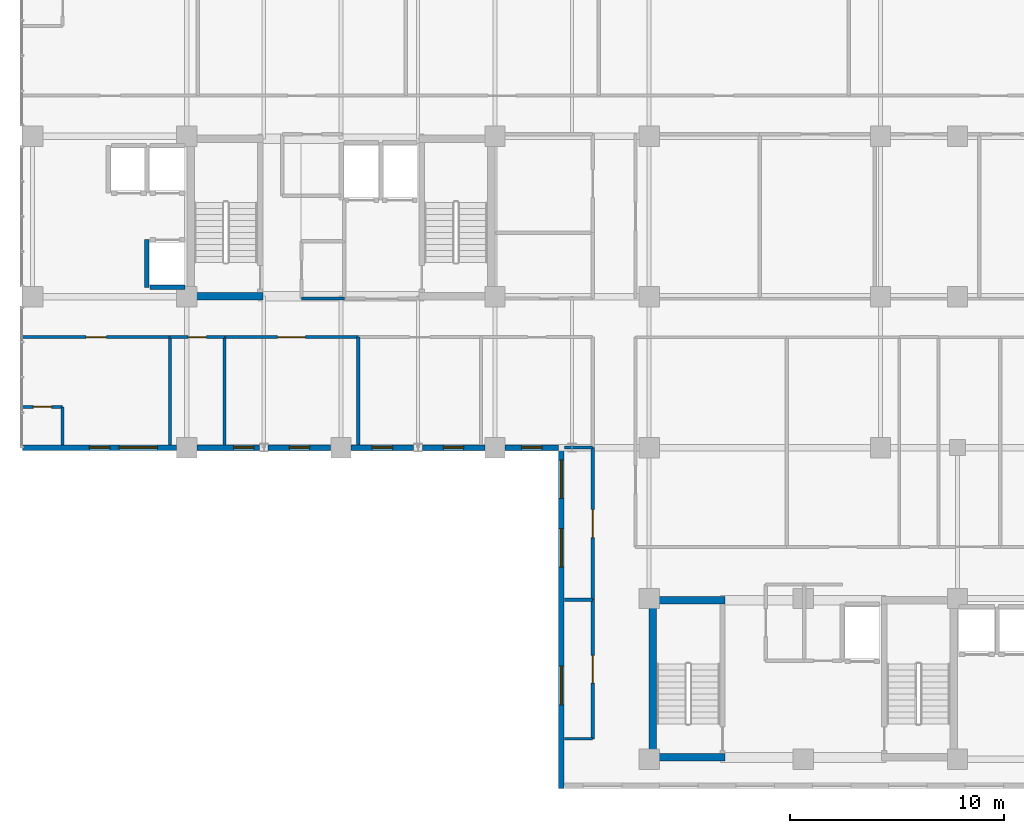
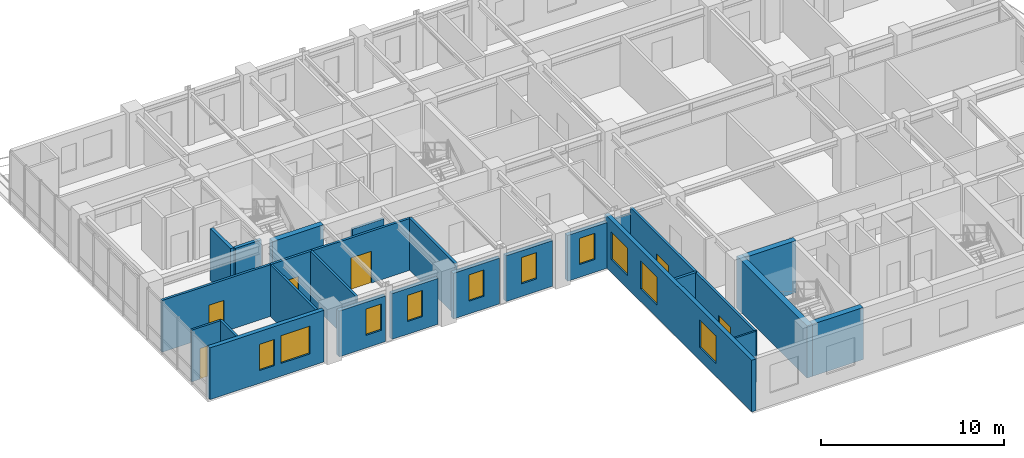
# One storey, part 12 of 20: 27 walls, 10 windows, 6 doors, 16 openings.
"""IFC4 building model written with IfcOpenShell, lengths in metres."""

from ifc_helpers import new_model, si_unit, direction, frame, frame_2d, origin, place, context, subcontext, project, spatial, rectangle, extrude, material, layer, layer_set, type_object, element, fill, save


model = new_model("IFC4")

# Units and contexts
model_context = context("Model", 3, precision=1e-05, world=origin(), true_north=direction((0.0, 1.0)))
body_context = subcontext(model_context, "Body", "Model", "MODEL_VIEW")
ifc_project = project(units=[si_unit("LENGTHUNIT", "METRE"), si_unit("AREAUNIT", "SQUARE_METRE"), si_unit("VOLUMEUNIT", "CUBIC_METRE"), si_unit("PLANEANGLEUNIT", "RADIAN"), si_unit("MASSUNIT", "GRAM", prefix="KILO")], contexts=[model_context])

# Site, building, storey
site_placement = place(None, origin())
site = spatial("IfcSite", under=ifc_project, at=site_placement, CompositionType="ELEMENT")
building_placement = place(site_placement, origin())
building = spatial("IfcBuilding", under=site, at=building_placement, Name="Kaliganga Portal Commons", CompositionType="ELEMENT")
storey_placement = place(building_placement, frame((0.0, 0.0, 216.60009765625)))
storey = spatial("IfcBuildingStorey", under=building, at=storey_placement, Name="L55", CompositionType="ELEMENT", Elevation=216.60009765625)

# Walls
ifc_material_1 = material(Name="Concrete C50/60", Category="concrete")
ifc_layer_1 = layer(ifc_material_1, 0.35009765625)
ifc_layer_set_1 = layer_set([ifc_layer_1], Name="Concrete C50/60")
wall_type_1 = type_object("IfcWallType", Name="WL-CORE-350", PredefinedType="SHEAR", material=ifc_layer_set_1)
wall_1_placement = place(storey_placement, frame((14.75, 28.675048828125, 0.0), z_axis=(0.0, 0.0, 1.0), x_axis=(1.0, 0.0, 0.0)))
element("IfcWall", 1, at=wall_1_placement, inside=storey, type_object=wall_type_1, Name="Core A S-West Shear Wall L55", PredefinedType="SHEAR", context=body_context, shape_type="SweptSolid", body=[
    extrude(rectangle(XDim=3.199951171875, YDim=0.35009765625, at=frame_2d((1.60009765625, 0.0))), origin(), (0.0, 0.0, 1.0), 3.469970703125),
])
wall_2_placement = place(storey_placement, frame((36.175048828125, 6.949951171875, 0.0), z_axis=(0.0, 0.0, 1.0), x_axis=(0.0, 1.0, 0.0)))
element("IfcWall", 2, at=wall_2_placement, inside=storey, type_object=wall_type_1, Name="Core B West Shear Wall L55", PredefinedType="SHEAR", context=body_context, shape_type="SweptSolid", body=[
    extrude(rectangle(XDim=7.699951171875, YDim=0.35009765625, at=frame_2d((3.85009765625, 0.0))), origin(), (0.0, 0.0, 1.0), 3.469970703125),
])
for number, where, z_axis, x_axis, name in (
    (3, (36.35009765625, 7.125, 0.0), (0.0, 0.0, 1.0), (1.0, 0.0, 0.0), "Core B S-West Shear Wall L55"),
    (4, (36.35009765625, 14.47509765625, 0.0), (0.0, 0.0, 1.0), (1.0, 0.0, 0.0), "Core B N-West Shear Wall L55"),
):
    element("IfcWall", number, at=place(storey_placement, frame(where, z_axis=z_axis, x_axis=x_axis)), inside=storey, type_object=wall_type_1, Name=name, PredefinedType="SHEAR", context=body_context, shape_type="SweptSolid", body=[
        extrude(rectangle(XDim=3.199951171875, YDim=0.35009765625, at=frame_2d((1.60009765625, 0.0))), origin(), (0.0, 0.0, 1.0), 3.469970703125),
    ])

# Wall, openings, windows
ifc_material_2 = material(Name="Insulated Aluminium-Clad Spandrel Assembly", Category="aluminium")
ifc_layer_2 = layer(ifc_material_2, 0.260009765625)
ifc_layer_set_2 = layer_set([ifc_layer_2], Name="Insulated Aluminium-Clad Spandrel Assembly")
wall_type_2 = type_object("IfcWallType", Name="WL-EXT-SPAND-260", PredefinedType="STANDARD", material=ifc_layer_set_2)
wall_3_placement = place(storey_placement, frame((13.924072265625, 21.60009765625, 0.0), z_axis=(0.0, 0.0, 1.0), x_axis=(-1.0, 0.0, 0.0)))
wall_3 = element("IfcWall", 5, at=wall_3_placement, inside=storey, type_object=wall_type_2, Name="Exterior Envelope Wall L55 P1-E04-S1", PredefinedType="STANDARD", context=body_context, shape_type="SweptSolid", body=[
    extrude(rectangle(XDim=7.18701171875, YDim=0.260009765625, at=frame_2d((3.593505859375, 0.0))), origin(), (0.0, 0.0, 1.0), 3.449951171875),
])
opening_1_placement = place(wall_3_placement, frame((0.896728515625, 0.0, 0.85009765625)))
opening_1 = element("IfcOpeningElement", 6, at=opening_1_placement, cuts=wall_3, Name="Opening W-01", PredefinedType="OPENING", context=body_context, shape_type="SweptSolid", body=[
    extrude(rectangle(XDim=1.800048828125, YDim=1.85009765625, at=frame_2d((0.89990234375, 0.925048828125))), frame((0.0, 0.14013671875, 0.0), z_axis=(0.0, -1.0, 0.0), x_axis=(1.0, 0.0, 0.0)), (0.0, 0.0, 1.0), 0.280029296875),
])
opening_2_placement = place(wall_3_placement, frame((3.118408203125, 0.0, 0.85009765625)))
opening_2 = element("IfcOpeningElement", 7, at=opening_2_placement, cuts=wall_3, Name="Opening W-04", PredefinedType="OPENING", context=body_context, shape_type="SweptSolid", body=[
    extrude(rectangle(XDim=0.949951171875, YDim=1.75, at=frame_2d((0.47509765625, 0.875))), frame((0.0, 0.14013671875, 0.0), z_axis=(0.0, -1.0, 0.0), x_axis=(1.0, 0.0, 0.0)), (0.0, 0.0, 1.0), 0.280029296875),
])
ifc_material_3 = material(Name="Thermally Broken Aluminium and Low-E Double Glazing", Category="aluminium")
window_type_1 = type_object("IfcWindowType", Name="WIN-NARROW-950", PartitioningType="SINGLE_PANEL", PredefinedType="WINDOW", material=ifc_material_3)
window_1_placement = place(opening_2_placement, origin())
window_1 = element("IfcWindow", 8, at=window_1_placement, inside=storey, type_object=window_type_1, Name="Facade Window L55-P1E04S1-N0", OverallHeight=1.75, OverallWidth=0.949951171875, PartitioningType="SINGLE_PANEL", PredefinedType="WINDOW", context=body_context, shape_type="SweptSolid", body=[
    extrude(rectangle(XDim=0.949951171875, YDim=1.75, at=frame_2d((0.47509765625, 0.875))), frame((0.0, 0.030029296875, 0.0), z_axis=(0.0, -1.0, 0.0), x_axis=(1.0, 0.0, 0.0)), (0.0, 0.0, 1.0), 0.06005859375),
])
fill(opening_2, window_1)
window_type_2 = type_object("IfcWindowType", Name="WIN-STD-1800", PartitioningType="DOUBLE_PANEL_VERTICAL", PredefinedType="WINDOW", material=ifc_material_3)
window_2_placement = place(opening_1_placement, origin())
window_2 = element("IfcWindow", 9, at=window_2_placement, inside=storey, type_object=window_type_2, Name="Facade Window L55-P1E04S1-00", OverallHeight=1.85009765625, OverallWidth=1.800048828125, PartitioningType="SINGLE_PANEL", PredefinedType="WINDOW", context=body_context, shape_type="SweptSolid", body=[
    extrude(rectangle(XDim=1.800048828125, YDim=1.85009765625, at=frame_2d((0.89990234375, 0.925048828125))), frame((0.0, 0.030029296875, 0.0), z_axis=(0.0, -1.0, 0.0), x_axis=(1.0, 0.0, 0.0)), (0.0, 0.0, 1.0), 0.06005859375),
])
fill(opening_1, window_2)

# Wall, opening, window
wall_4_placement = place(storey_placement, frame((17.799560546875, 21.60009765625, 0.0), z_axis=(0.0, 0.0, 1.0), x_axis=(-1.0, 0.0, 0.0)))
wall_4 = element("IfcWall", 10, at=wall_4_placement, inside=storey, type_object=wall_type_2, Name="Exterior Envelope Wall L55 P1-E04-S2", PredefinedType="STANDARD", context=body_context, shape_type="SweptSolid", body=[
    extrude(rectangle(XDim=2.923583984375, YDim=0.260009765625, at=frame_2d((1.4619140625, 0.0))), origin(), (0.0, 0.0, 1.0), 3.0498046875),
])
opening_3_placement = place(wall_4_placement, frame((0.26171875, 0.0, 0.85009765625)))
opening_3 = element("IfcOpeningElement", 11, at=opening_3_placement, cuts=wall_4, Name="Opening W-04", PredefinedType="OPENING", context=body_context, shape_type="SweptSolid", body=[
    extrude(rectangle(XDim=0.949951171875, YDim=1.75, at=frame_2d((0.47509765625, 0.875))), frame((0.0, 0.14013671875, 0.0), z_axis=(0.0, -1.0, 0.0), x_axis=(1.0, 0.0, 0.0)), (0.0, 0.0, 1.0), 0.280029296875),
])
window_3_placement = place(opening_3_placement, origin())
window_3 = element("IfcWindow", 12, at=window_3_placement, inside=storey, type_object=window_type_1, Name="Facade Window L55-P1E04S2-N1", OverallHeight=1.75, OverallWidth=0.949951171875, PartitioningType="SINGLE_PANEL", PredefinedType="WINDOW", context=body_context, shape_type="SweptSolid", body=[
    extrude(rectangle(XDim=0.949951171875, YDim=1.75, at=frame_2d((0.47509765625, 0.875))), frame((0.0, 0.030029296875, 0.0), z_axis=(0.0, -1.0, 0.0), x_axis=(1.0, 0.0, 0.0)), (0.0, 0.0, 1.0), 0.06005859375),
])
fill(opening_3, window_3)

wall_5_placement = place(storey_placement, frame((21.1240234375, 21.60009765625, 0.0), z_axis=(0.0, 0.0, 1.0), x_axis=(-1.0, 0.0, 0.0)))
wall_5 = element("IfcWall", 13, at=wall_5_placement, inside=storey, type_object=wall_type_2, Name="Exterior Envelope Wall L55 P1-E04-S3", PredefinedType="STANDARD", context=body_context, shape_type="SweptSolid", body=[
    extrude(rectangle(XDim=2.923583984375, YDim=0.260009765625, at=frame_2d((1.4619140625, 0.0))), origin(), (0.0, 0.0, 1.0), 3.0498046875),
])
opening_4_placement = place(wall_5_placement, frame((0.98681640625, 0.0, 0.85009765625)))
opening_4 = element("IfcOpeningElement", 14, at=opening_4_placement, cuts=wall_5, Name="Opening W-04", PredefinedType="OPENING", context=body_context, shape_type="SweptSolid", body=[
    extrude(rectangle(XDim=0.949951171875, YDim=1.75, at=frame_2d((0.47509765625, 0.875))), frame((0.0, 0.14013671875, 0.0), z_axis=(0.0, -1.0, 0.0), x_axis=(1.0, 0.0, 0.0)), (0.0, 0.0, 1.0), 0.280029296875),
])
window_4_placement = place(opening_4_placement, origin())
window_4 = element("IfcWindow", 15, at=window_4_placement, inside=storey, type_object=window_type_1, Name="Facade Window L55-P1E04S3-00", OverallHeight=1.75, OverallWidth=0.949951171875, PartitioningType="SINGLE_PANEL", PredefinedType="WINDOW", context=body_context, shape_type="SweptSolid", body=[
    extrude(rectangle(XDim=0.949951171875, YDim=1.75, at=frame_2d((0.47509765625, 0.875))), frame((0.0, 0.030029296875, 0.0), z_axis=(0.0, -1.0, 0.0), x_axis=(1.0, 0.0, 0.0)), (0.0, 0.0, 1.0), 0.06005859375),
])
fill(opening_4, window_4)

wall_6_placement = place(storey_placement, frame((24.99951171875, 21.60009765625, 0.0), z_axis=(0.0, 0.0, 1.0), x_axis=(-1.0, 0.0, 0.0)))
wall_6 = element("IfcWall", 16, at=wall_6_placement, inside=storey, type_object=wall_type_2, Name="Exterior Envelope Wall L55 P1-E04-S4", PredefinedType="STANDARD", context=body_context, shape_type="SweptSolid", body=[
    extrude(rectangle(XDim=2.923583984375, YDim=0.260009765625, at=frame_2d((1.4619140625, 0.0))), origin(), (0.0, 0.0, 1.0), 3.0498046875),
])
opening_5_placement = place(wall_6_placement, frame((0.98681640625, 0.0, 0.85009765625)))
opening_5 = element("IfcOpeningElement", 17, at=opening_5_placement, cuts=wall_6, Name="Opening W-04", PredefinedType="OPENING", context=body_context, shape_type="SweptSolid", body=[
    extrude(rectangle(XDim=0.949951171875, YDim=1.75, at=frame_2d((0.47509765625, 0.875))), frame((0.0, 0.14013671875, 0.0), z_axis=(0.0, -1.0, 0.0), x_axis=(1.0, 0.0, 0.0)), (0.0, 0.0, 1.0), 0.280029296875),
])
window_5_placement = place(opening_5_placement, origin())
window_5 = element("IfcWindow", 18, at=window_5_placement, inside=storey, type_object=window_type_1, Name="Facade Window L55-P1E04S4-00", OverallHeight=1.75, OverallWidth=0.949951171875, PartitioningType="SINGLE_PANEL", PredefinedType="WINDOW", context=body_context, shape_type="SweptSolid", body=[
    extrude(rectangle(XDim=0.949951171875, YDim=1.75, at=frame_2d((0.47509765625, 0.875))), frame((0.0, 0.030029296875, 0.0), z_axis=(0.0, -1.0, 0.0), x_axis=(1.0, 0.0, 0.0)), (0.0, 0.0, 1.0), 0.06005859375),
])
fill(opening_5, window_5)

wall_7_placement = place(storey_placement, frame((28.323974609375, 21.60009765625, 0.0), z_axis=(0.0, 0.0, 1.0), x_axis=(-1.0, 0.0, 0.0)))
wall_7 = element("IfcWall", 19, at=wall_7_placement, inside=storey, type_object=wall_type_2, Name="Exterior Envelope Wall L55 P1-E04-S5", PredefinedType="STANDARD", context=body_context, shape_type="SweptSolid", body=[
    extrude(rectangle(XDim=2.923583984375, YDim=0.260009765625, at=frame_2d((1.4619140625, 0.0))), origin(), (0.0, 0.0, 1.0), 3.0498046875),
])
opening_6_placement = place(wall_7_placement, frame((0.98681640625, 0.0, 0.85009765625)))
opening_6 = element("IfcOpeningElement", 20, at=opening_6_placement, cuts=wall_7, Name="Opening W-04", PredefinedType="OPENING", context=body_context, shape_type="SweptSolid", body=[
    extrude(rectangle(XDim=0.949951171875, YDim=1.75, at=frame_2d((0.47509765625, 0.875))), frame((0.0, 0.14013671875, 0.0), z_axis=(0.0, -1.0, 0.0), x_axis=(1.0, 0.0, 0.0)), (0.0, 0.0, 1.0), 0.280029296875),
])
window_6_placement = place(opening_6_placement, origin())
window_6 = element("IfcWindow", 21, at=window_6_placement, inside=storey, type_object=window_type_1, Name="Facade Window L55-P1E04S5-00", OverallHeight=1.75, OverallWidth=0.949951171875, PartitioningType="SINGLE_PANEL", PredefinedType="WINDOW", context=body_context, shape_type="SweptSolid", body=[
    extrude(rectangle(XDim=0.949951171875, YDim=1.75, at=frame_2d((0.47509765625, 0.875))), frame((0.0, 0.030029296875, 0.0), z_axis=(0.0, -1.0, 0.0), x_axis=(1.0, 0.0, 0.0)), (0.0, 0.0, 1.0), 0.06005859375),
])
fill(opening_6, window_6)

wall_8_placement = place(storey_placement, frame((31.764892578125, 21.60009765625, 0.0), z_axis=(0.0, 0.0, 1.0), x_axis=(-1.0, 0.0, 0.0)))
wall_8 = element("IfcWall", 22, at=wall_8_placement, inside=storey, type_object=wall_type_2, Name="Exterior Envelope Wall L55 P1-E04-S6", PredefinedType="STANDARD", context=body_context, shape_type="SweptSolid", body=[
    extrude(rectangle(XDim=2.489013671875, YDim=0.260009765625, at=frame_2d((1.24462890625, 0.0))), origin(), (0.0, 0.0, 1.0), 3.0498046875),
])
opening_7_placement = place(wall_8_placement, frame((0.76953125, 0.0, 0.85009765625)))
opening_7 = element("IfcOpeningElement", 23, at=opening_7_placement, cuts=wall_8, Name="Opening W-04", PredefinedType="OPENING", context=body_context, shape_type="SweptSolid", body=[
    extrude(rectangle(XDim=0.949951171875, YDim=1.75, at=frame_2d((0.47509765625, 0.875))), frame((0.0, 0.14013671875, 0.0), z_axis=(0.0, -1.0, 0.0), x_axis=(1.0, 0.0, 0.0)), (0.0, 0.0, 1.0), 0.280029296875),
])
window_7_placement = place(opening_7_placement, origin())
window_7 = element("IfcWindow", 24, at=window_7_placement, inside=storey, type_object=window_type_1, Name="Facade Window L55-P1E04S6-00", OverallHeight=1.75, OverallWidth=0.949951171875, PartitioningType="SINGLE_PANEL", PredefinedType="WINDOW", context=body_context, shape_type="SweptSolid", body=[
    extrude(rectangle(XDim=0.949951171875, YDim=1.75, at=frame_2d((0.47509765625, 0.875))), frame((0.0, 0.030029296875, 0.0), z_axis=(0.0, -1.0, 0.0), x_axis=(1.0, 0.0, 0.0)), (0.0, 0.0, 1.0), 0.06005859375),
])
fill(opening_7, window_7)

# Wall, openings, windows
wall_9_placement = place(storey_placement, frame((31.89990234375, 5.669921875, 0.0), z_axis=(0.0, 0.0, 1.0), x_axis=(0.0, 1.0, 0.0)))
wall_9 = element("IfcWall", 25, at=wall_9_placement, inside=storey, type_object=wall_type_2, Name="Exterior Envelope Wall L55 P1-E05-S1", PredefinedType="STANDARD", context=body_context, shape_type="SweptSolid", body=[
    extrude(rectangle(XDim=16.06005859375, YDim=0.260009765625, at=frame_2d((8.030029296875, 0.0))), origin(), (0.0, 0.0, 1.0), 3.449951171875),
])
opening_8_placement = place(wall_9_placement, frame((3.91796875, 0.0, 0.85009765625)))
opening_8 = element("IfcOpeningElement", 26, at=opening_8_placement, cuts=wall_9, Name="Opening W-01", PredefinedType="OPENING", context=body_context, shape_type="SweptSolid", body=[
    extrude(rectangle(XDim=1.800048828125, YDim=1.85009765625, at=frame_2d((0.89990234375, 0.925048828125))), frame((0.0, 0.14013671875, 0.0), z_axis=(0.0, -1.0, 0.0), x_axis=(1.0, 0.0, 0.0)), (0.0, 0.0, 1.0), 0.280029296875),
])
opening_9_placement = place(wall_9_placement, frame((10.342041015625, 0.0, 0.85009765625)))
opening_9 = element("IfcOpeningElement", 27, at=opening_9_placement, cuts=wall_9, Name="Opening W-01", PredefinedType="OPENING", context=body_context, shape_type="SweptSolid", body=[
    extrude(rectangle(XDim=1.800048828125, YDim=1.85009765625, at=frame_2d((0.89990234375, 0.925048828125))), frame((0.0, 0.14013671875, 0.0), z_axis=(0.0, -1.0, 0.0), x_axis=(1.0, 0.0, 0.0)), (0.0, 0.0, 1.0), 0.280029296875),
])
opening_10_placement = place(wall_9_placement, frame((13.553955078125, 0.0, 0.85009765625)))
opening_10 = element("IfcOpeningElement", 28, at=opening_10_placement, cuts=wall_9, Name="Opening W-01", PredefinedType="OPENING", context=body_context, shape_type="SweptSolid", body=[
    extrude(rectangle(XDim=1.800048828125, YDim=1.85009765625, at=frame_2d((0.89990234375, 0.925048828125))), frame((0.0, 0.14013671875, 0.0), z_axis=(0.0, -1.0, 0.0), x_axis=(1.0, 0.0, 0.0)), (0.0, 0.0, 1.0), 0.280029296875),
])
window_8_placement = place(opening_8_placement, origin())
window_8 = element("IfcWindow", 29, at=window_8_placement, inside=storey, type_object=window_type_2, Name="Facade Window L55-P1E05S1-01", OverallHeight=1.85009765625, OverallWidth=1.800048828125, PartitioningType="SINGLE_PANEL", PredefinedType="WINDOW", context=body_context, shape_type="SweptSolid", body=[
    extrude(rectangle(XDim=1.800048828125, YDim=1.85009765625, at=frame_2d((0.89990234375, 0.925048828125))), frame((0.0, 0.030029296875, 0.0), z_axis=(0.0, -1.0, 0.0), x_axis=(1.0, 0.0, 0.0)), (0.0, 0.0, 1.0), 0.06005859375),
])
fill(opening_8, window_8)
window_9_placement = place(opening_9_placement, origin())
window_9 = element("IfcWindow", 30, at=window_9_placement, inside=storey, type_object=window_type_2, Name="Facade Window L55-P1E05S1-03", OverallHeight=1.85009765625, OverallWidth=1.800048828125, PartitioningType="SINGLE_PANEL", PredefinedType="WINDOW", context=body_context, shape_type="SweptSolid", body=[
    extrude(rectangle(XDim=1.800048828125, YDim=1.85009765625, at=frame_2d((0.89990234375, 0.925048828125))), frame((0.0, 0.030029296875, 0.0), z_axis=(0.0, -1.0, 0.0), x_axis=(1.0, 0.0, 0.0)), (0.0, 0.0, 1.0), 0.06005859375),
])
fill(opening_9, window_9)
window_10_placement = place(opening_10_placement, origin())
window_10 = element("IfcWindow", 31, at=window_10_placement, inside=storey, type_object=window_type_2, Name="Facade Window L55-P1E05S1-04", OverallHeight=1.85009765625, OverallWidth=1.800048828125, PartitioningType="SINGLE_PANEL", PredefinedType="WINDOW", context=body_context, shape_type="SweptSolid", body=[
    extrude(rectangle(XDim=1.800048828125, YDim=1.85009765625, at=frame_2d((0.89990234375, 0.925048828125))), frame((0.0, 0.030029296875, 0.0), z_axis=(0.0, -1.0, 0.0), x_axis=(1.0, 0.0, 0.0)), (0.0, 0.0, 1.0), 0.06005859375),
])
fill(opening_10, window_10)

# Wall, opening, door
ifc_material_4 = material(Name="Fire-Rated Gypsum Board on Steel Stud", Category="steel")
ifc_layer_3 = layer(ifc_material_4, 0.14990234375)
ifc_layer_set_3 = layer_set([ifc_layer_3], Name="Fire-Rated Gypsum Board on Steel Stud")
wall_type_3 = type_object("IfcWallType", Name="WL-PART-CORR-150", PredefinedType="PARTITIONING", material=ifc_layer_set_3)
wall_10_placement = place(storey_placement, frame((33.360107421875, 14.5, 0.0), z_axis=(0.0, 0.0, 1.0), x_axis=(0.0, 1.0, 0.0)))
wall_10 = element("IfcWall", 32, at=wall_10_placement, inside=storey, type_object=wall_type_3, Name="Interior Partition L55-015", PredefinedType="PARTITIONING", context=body_context, shape_type="SweptSolid", body=[
    extrude(rectangle(XDim=7.10009765625, YDim=0.14990234375, at=frame_2d((3.550048828125, 0.0))), origin(), (0.0, 0.0, 1.0), 3.449951171875),
])
opening_11_placement = place(wall_10_placement, frame((2.89990234375, 0.0, 0.0)))
opening_11 = element("IfcOpeningElement", 33, at=opening_11_placement, cuts=wall_10, Name="Opening RD-03", PredefinedType="OPENING", context=body_context, shape_type="SweptSolid", body=[
    extrude(rectangle(XDim=1.300048828125, YDim=2.1201171875, at=frame_2d((0.64990234375, 1.06005859375))), frame((0.0, 0.0849609375, 0.0), z_axis=(0.0, -1.0, 0.0), x_axis=(1.0, 0.0, 0.0)), (0.0, 0.0, 1.0), 0.169921875),
])
ifc_material_5 = material(Name="Glazed Timber Seminar Vision Door", Category="wood")
door_type_1 = type_object("IfcDoorType", Name="DR-STUDY-1300", OperationType="DOUBLE_DOOR_SINGLE_SWING", PredefinedType="DOOR", material=ifc_material_5)
door_1_placement = place(opening_11_placement, origin())
door_1 = element("IfcDoor", 34, at=door_1_placement, inside=storey, type_object=door_type_1, Name="Interior Door L55-KW02", OperationType="DOUBLE_DOOR_SINGLE_SWING", OverallHeight=2.1201171875, OverallWidth=1.300048828125, PredefinedType="DOOR", context=body_context, shape_type="SweptSolid", body=[
    extrude(rectangle(XDim=1.300048828125, YDim=2.1201171875, at=frame_2d((0.64990234375, 1.06005859375))), frame((0.0, 0.02490234375, 0.0), z_axis=(0.0, -1.0, 0.0), x_axis=(1.0, 0.0, 0.0)), (0.0, 0.0, 1.0), 0.050048828125),
])
fill(opening_11, door_1)

wall_11_placement = place(storey_placement, frame((6.719970703125, 26.760009765625, 0.0), z_axis=(0.0, 0.0, 1.0), x_axis=(1.0, 0.0, 0.0)))
wall_11 = element("IfcWall", 35, at=wall_11_placement, inside=storey, type_object=wall_type_3, Name="Interior Partition L55-017", PredefinedType="PARTITIONING", context=body_context, shape_type="SweptSolid", body=[
    extrude(rectangle(XDim=6.900146484375, YDim=0.14990234375, at=frame_2d((3.4501953125, 0.0))), origin(), (0.0, 0.0, 1.0), 3.449951171875),
])
opening_12_placement = place(wall_11_placement, frame((2.97509765625, 0.0, 0.0)))
opening_12 = element("IfcOpeningElement", 36, at=opening_12_placement, cuts=wall_11, Name="Opening UD-01", PredefinedType="OPENING", context=body_context, shape_type="SweptSolid", body=[
    extrude(rectangle(XDim=0.949951171875, YDim=2.10009765625, at=frame_2d((0.47509765625, 1.050048828125))), frame((0.0, 0.0849609375, 0.0), z_axis=(0.0, -1.0, 0.0), x_axis=(1.0, 0.0, 0.0)), (0.0, 0.0, 1.0), 0.169921875),
])
ifc_material_6 = material(Name="Solid-Core Timber Acoustic Fire Door", Category="wood")
door_type_2 = type_object("IfcDoorType", Name="DR-UNIT-950", OperationType="NOTDEFINED", PredefinedType="DOOR", material=ifc_material_6)
door_2_placement = place(opening_12_placement, origin())
door_2 = element("IfcDoor", 37, at=door_2_placement, inside=storey, type_object=door_type_2, Name="Interior Door L55-AS01", OperationType="SINGLE_SWING_RIGHT", OverallHeight=2.10009765625, OverallWidth=0.949951171875, PredefinedType="DOOR", context=body_context, shape_type="SweptSolid", body=[
    extrude(rectangle(XDim=0.949951171875, YDim=2.10009765625, at=frame_2d((0.47509765625, 1.050048828125))), frame((0.0, 0.02490234375, 0.0), z_axis=(0.0, -1.0, 0.0), x_axis=(1.0, 0.0, 0.0)), (0.0, 0.0, 1.0), 0.050048828125),
])
fill(opening_12, door_2)

wall_12_placement = place(storey_placement, frame((33.360107421875, 8.0, 0.0), z_axis=(0.0, 0.0, 1.0), x_axis=(0.0, 1.0, 0.0)))
wall_12 = element("IfcWall", 38, at=wall_12_placement, inside=storey, type_object=wall_type_3, Name="Interior Partition L55-018", PredefinedType="PARTITIONING", context=body_context, shape_type="SweptSolid", body=[
    extrude(rectangle(XDim=6.5, YDim=0.14990234375, at=frame_2d((3.25, 0.0))), origin(), (0.0, 0.0, 1.0), 3.449951171875),
])
opening_13_placement = place(wall_12_placement, frame((2.60009765625, 0.0, 0.0)))
opening_13 = element("IfcOpeningElement", 39, at=opening_13_placement, cuts=wall_12, Name="Opening RD-03", PredefinedType="OPENING", context=body_context, shape_type="SweptSolid", body=[
    extrude(rectangle(XDim=1.300048828125, YDim=2.1201171875, at=frame_2d((0.64990234375, 1.06005859375))), frame((0.0, 0.0849609375, 0.0), z_axis=(0.0, -1.0, 0.0), x_axis=(1.0, 0.0, 0.0)), (0.0, 0.0, 1.0), 0.169921875),
])
door_3_placement = place(opening_13_placement, origin())
door_3 = element("IfcDoor", 40, at=door_3_placement, inside=storey, type_object=door_type_1, Name="Interior Door L55-KW01", OperationType="DOUBLE_DOOR_SINGLE_SWING", OverallHeight=2.1201171875, OverallWidth=1.300048828125, PredefinedType="DOOR", context=body_context, shape_type="SweptSolid", body=[
    extrude(rectangle(XDim=1.300048828125, YDim=2.1201171875, at=frame_2d((0.64990234375, 1.06005859375))), frame((0.0, 0.02490234375, 0.0), z_axis=(0.0, -1.0, 0.0), x_axis=(1.0, 0.0, 0.0)), (0.0, 0.0, 1.0), 0.050048828125),
])
fill(opening_13, door_3)

wall_13_placement = place(storey_placement, frame((16.159912109375, 26.760009765625, 0.0), z_axis=(0.0, 0.0, 1.0), x_axis=(1.0, 0.0, 0.0)))
wall_13 = element("IfcWall", 41, at=wall_13_placement, inside=storey, type_object=wall_type_3, Name="Interior Partition L55-019", PredefinedType="PARTITIONING", context=body_context, shape_type="SweptSolid", body=[
    extrude(rectangle(XDim=6.260009765625, YDim=0.14990234375, at=frame_2d((3.1298828125, 0.0))), origin(), (0.0, 0.0, 1.0), 3.449951171875),
])
opening_14_placement = place(wall_13_placement, frame((2.47998046875, 0.0, 0.0)))
opening_14 = element("IfcOpeningElement", 42, at=opening_14_placement, cuts=wall_13, Name="Opening RD-03", PredefinedType="OPENING", context=body_context, shape_type="SweptSolid", body=[
    extrude(rectangle(XDim=1.300048828125, YDim=2.1201171875, at=frame_2d((0.64990234375, 1.06005859375))), frame((0.0, 0.0849609375, 0.0), z_axis=(0.0, -1.0, 0.0), x_axis=(1.0, 0.0, 0.0)), (0.0, 0.0, 1.0), 0.169921875),
])
door_4_placement = place(opening_14_placement, origin())
door_4 = element("IfcDoor", 43, at=door_4_placement, inside=storey, type_object=door_type_1, Name="Interior Door L55-AS03", OperationType="DOUBLE_DOOR_SINGLE_SWING", OverallHeight=2.1201171875, OverallWidth=1.300048828125, PredefinedType="DOOR", context=body_context, shape_type="SweptSolid", body=[
    extrude(rectangle(XDim=1.300048828125, YDim=2.1201171875, at=frame_2d((0.64990234375, 1.06005859375))), frame((0.0, 0.02490234375, 0.0), z_axis=(0.0, -1.0, 0.0), x_axis=(1.0, 0.0, 0.0)), (0.0, 0.0, 1.0), 0.050048828125),
])
fill(opening_14, door_4)

wall_14_placement = place(storey_placement, frame((13.6201171875, 26.760009765625, 0.0), z_axis=(0.0, 0.0, 1.0), x_axis=(1.0, 0.0, 0.0)))
wall_14 = element("IfcWall", 44, at=wall_14_placement, inside=storey, type_object=wall_type_3, Name="Interior Partition L55-038", PredefinedType="PARTITIONING", context=body_context, shape_type="SweptSolid", body=[
    extrude(rectangle(XDim=2.539794921875, YDim=0.14990234375, at=frame_2d((1.27001953125, 0.0))), origin(), (0.0, 0.0, 1.0), 3.449951171875),
])
opening_15_placement = place(wall_14_placement, frame((0.844970703125, 0.0, 0.0)))
opening_15 = element("IfcOpeningElement", 45, at=opening_15_placement, cuts=wall_14, Name="Opening WD-01", PredefinedType="OPENING", context=body_context, shape_type="SweptSolid", body=[
    extrude(rectangle(XDim=0.85009765625, YDim=2.0400390625, at=frame_2d((0.425048828125, 1.02001953125))), frame((0.0, 0.0849609375, 0.0), z_axis=(0.0, -1.0, 0.0), x_axis=(1.0, 0.0, 0.0)), (0.0, 0.0, 1.0), 0.169921875),
])
ifc_material_7 = material(Name="Moisture-Resistant Laminate Timber Door", Category="wood")
door_type_3 = type_object("IfcDoorType", Name="DR-WET-850", OperationType="NOTDEFINED", PredefinedType="DOOR", material=ifc_material_7)
door_5_placement = place(opening_15_placement, origin())
door_5 = element("IfcDoor", 46, at=door_5_placement, inside=storey, type_object=door_type_3, Name="Interior Door L55-AS02", OperationType="SINGLE_SWING_RIGHT", OverallHeight=2.0400390625, OverallWidth=0.85009765625, PredefinedType="DOOR", context=body_context, shape_type="SweptSolid", body=[
    extrude(rectangle(XDim=0.85009765625, YDim=2.0400390625, at=frame_2d((0.425048828125, 1.02001953125))), frame((0.0, 0.02490234375, 0.0), z_axis=(0.0, -1.0, 0.0), x_axis=(1.0, 0.0, 0.0)), (0.0, 0.0, 1.0), 0.050048828125),
])
fill(opening_15, door_5)

# Walls
wall_15_placement = place(storey_placement, frame((19.760009765625, 28.56005859375, 0.0), z_axis=(0.0, 0.0, 1.0), x_axis=(1.0, 0.0, 0.0)))
element("IfcWall", 47, at=wall_15_placement, inside=storey, type_object=wall_type_3, Name="Interior Partition L55-039", PredefinedType="PARTITIONING", context=body_context, shape_type="SweptSolid", body=[
    extrude(rectangle(XDim=2.0, YDim=0.14990234375, at=frame_2d((1.0, 0.0))), origin(), (0.0, 0.0, 1.0), 2.5498046875),
])
ifc_material_8 = material(Name="Moisture-Resistant Gypsum Partition", Category="gypsum")
ifc_layer_4 = layer(ifc_material_8, 0.114990234375)
ifc_layer_set_4 = layer_set([ifc_layer_4], Name="Moisture-Resistant Gypsum Partition")
wall_type_4 = type_object("IfcWallType", Name="WL-PART-ROOM-115", PredefinedType="PARTITIONING", material=ifc_layer_set_4)
wall_16_placement = place(storey_placement, frame((32.031982421875, 8.0, 0.0), z_axis=(0.0, 0.0, 1.0), x_axis=(1.0, 0.0, 0.0)))
element("IfcWall", 48, at=wall_16_placement, inside=storey, type_object=wall_type_4, Name="Interior Partition L55-080", PredefinedType="PARTITIONING", context=body_context, shape_type="SweptSolid", body=[
    extrude(rectangle(XDim=1.328125, YDim=0.114990234375, at=frame_2d((0.6640625, 0.0))), origin(), (0.0, 0.0, 1.0), 3.449951171875),
])
ifc_material_9 = material(Name="Twin-Stud Acoustic Gypsum Partition", Category="gypsum")
ifc_layer_5 = layer(ifc_material_9, 0.1650390625)
ifc_layer_set_5 = layer_set([ifc_layer_5], Name="Twin-Stud Acoustic Gypsum Partition")
wall_type_5 = type_object("IfcWallType", Name="WL-PART-UNIT-165", PredefinedType="PARTITIONING", material=ifc_layer_set_5)
wall_17_placement = place(storey_placement, frame((22.419921875, 21.73193359375, 0.0), z_axis=(0.0, 0.0, 1.0), x_axis=(0.0, 1.0, 0.0)))
element("IfcWall", 49, at=wall_17_placement, inside=storey, type_object=wall_type_5, Name="Interior Partition L55-070", PredefinedType="PARTITIONING", context=body_context, shape_type="SweptSolid", body=[
    extrude(rectangle(XDim=5.028076171875, YDim=0.1650390625, at=frame_2d((2.51416015625, 0.0))), origin(), (0.0, 0.0, 1.0), 3.449951171875),
])
wall_18_placement = place(storey_placement, frame((32.031982421875, 14.5, 0.0), z_axis=(0.0, 0.0, 1.0), x_axis=(1.0, 0.0, 0.0)))
element("IfcWall", 50, at=wall_18_placement, inside=storey, type_object=wall_type_5, Name="Interior Partition L55-081", PredefinedType="PARTITIONING", context=body_context, shape_type="SweptSolid", body=[
    extrude(rectangle(XDim=1.328125, YDim=0.1650390625, at=frame_2d((0.6640625, 0.0))), origin(), (0.0, 0.0, 1.0), 3.449951171875),
])

# Wall, opening, door
ifc_material_10 = material(Name="Cement-Board Wet-Room Partition", Category="gypsum")
ifc_layer_6 = layer(ifc_material_10, 0.135009765625)
ifc_layer_set_6 = layer_set([ifc_layer_6], Name="Cement-Board Wet-Room Partition")
wall_type_6 = type_object("IfcWallType", Name="WL-PART-WET-135", PredefinedType="PARTITIONING", material=ifc_layer_set_6)
wall_19_placement = place(storey_placement, frame((6.719970703125, 23.5, 0.0), z_axis=(0.0, 0.0, 1.0), x_axis=(1.0, 0.0, 0.0)))
wall_19 = element("IfcWall", 51, at=wall_19_placement, inside=storey, type_object=wall_type_6, Name="Interior Partition L55-002", PredefinedType="PARTITIONING", context=body_context, shape_type="SweptSolid", body=[
    extrude(rectangle(XDim=1.880126953125, YDim=0.135009765625, at=frame_2d((0.93994140625, 0.0))), origin(), (0.0, 0.0, 1.0), 3.449951171875),
])
opening_16_placement = place(wall_19_placement, frame((0.514892578125, 0.0, 0.0)))
opening_16 = element("IfcOpeningElement", 52, at=opening_16_placement, cuts=wall_19, Name="Opening WD-01", PredefinedType="OPENING", context=body_context, shape_type="SweptSolid", body=[
    extrude(rectangle(XDim=0.85009765625, YDim=2.0400390625, at=frame_2d((0.425048828125, 1.02001953125))), frame((0.0, 0.07763671875, 0.0), z_axis=(0.0, -1.0, 0.0), x_axis=(1.0, 0.0, 0.0)), (0.0, 0.0, 1.0), 0.155029296875),
])
door_6_placement = place(opening_16_placement, origin())
door_6 = element("IfcDoor", 53, at=door_6_placement, inside=storey, type_object=door_type_3, Name="Interior Door L55-AS01E", OperationType="SINGLE_SWING_LEFT", OverallHeight=2.0400390625, OverallWidth=0.85009765625, PredefinedType="DOOR", context=body_context, shape_type="SweptSolid", body=[
    extrude(rectangle(XDim=0.85009765625, YDim=2.0400390625, at=frame_2d((0.425048828125, 1.02001953125))), frame((0.0, 0.02490234375, 0.0), z_axis=(0.0, -1.0, 0.0), x_axis=(1.0, 0.0, 0.0)), (0.0, 0.0, 1.0), 0.050048828125),
])
fill(opening_16, door_6)

# Walls
wall_20_placement = place(storey_placement, frame((8.60009765625, 21.73193359375, 0.0), z_axis=(0.0, 0.0, 1.0), x_axis=(0.0, 1.0, 0.0)))
element("IfcWall", 54, at=wall_20_placement, inside=storey, type_object=wall_type_6, Name="Interior Partition L55-004", PredefinedType="PARTITIONING", context=body_context, shape_type="SweptSolid", body=[
    extrude(rectangle(XDim=1.76806640625, YDim=0.135009765625, at=frame_2d((0.884033203125, 0.0))), origin(), (0.0, 0.0, 1.0), 3.449951171875),
])
for number, where, z_axis, x_axis, name in (
    (55, (13.6201171875, 21.73193359375, 0.0), (0.0, 0.0, 1.0), (0.0, 1.0, 0.0), "Interior Partition L55-068"),
    (56, (16.159912109375, 21.73193359375, 0.0), (0.0, 0.0, 1.0), (0.0, 1.0, 0.0), "Interior Partition L55-069"),
):
    element("IfcWall", number, at=place(storey_placement, frame(where, z_axis=z_axis, x_axis=x_axis)), inside=storey, type_object=wall_type_6, Name=name, PredefinedType="PARTITIONING", context=body_context, shape_type="SweptSolid", body=[
        extrude(rectangle(XDim=5.028076171875, YDim=0.135009765625, at=frame_2d((2.51416015625, 0.0))), origin(), (0.0, 0.0, 1.0), 3.449951171875),
    ])
wall_21_placement = place(storey_placement, frame((32.031982421875, 21.60009765625, 0.0), z_axis=(0.0, 0.0, 1.0), x_axis=(1.0, 0.0, 0.0)))
element("IfcWall", 57, at=wall_21_placement, inside=storey, type_object=wall_type_6, Name="Interior Partition L55-082", PredefinedType="PARTITIONING", context=body_context, shape_type="SweptSolid", body=[
    extrude(rectangle(XDim=1.328125, YDim=0.135009765625, at=frame_2d((0.6640625, 0.0))), origin(), (0.0, 0.0, 1.0), 3.0498046875),
])
ifc_material_11 = material(Name="Fire-Rated Shaftwall Masonry Assembly", Category="masonry")
ifc_layer_7 = layer(ifc_material_11, 0.199951171875)
ifc_layer_set_7 = layer_set([ifc_layer_7], Name="Fire-Rated Shaftwall Masonry Assembly")
wall_type_7 = type_object("IfcWallType", Name="WL-SHAFT-200", PredefinedType="PARTITIONING", material=ifc_layer_set_7)
wall_22_placement = place(storey_placement, frame((12.675048828125, 29.0849609375, 0.0), z_axis=(0.0, 0.0, 1.0), x_axis=(1.0, 0.0, 0.0)))
element("IfcWall", 58, at=wall_22_placement, inside=storey, type_object=wall_type_7, Name="Lift PL-A4 Hoistway Shaft Wall L55-S", PredefinedType="PARTITIONING", context=body_context, shape_type="SweptSolid", body=[
    extrude(rectangle(XDim=1.64990234375, YDim=0.199951171875, at=frame_2d((0.824951171875, 0.0))), origin(), (0.0, 0.0, 1.0), 3.449951171875),
])
wall_23_placement = place(storey_placement, frame((12.534912109375, 29.0849609375, 0.0), z_axis=(0.0, 0.0, 1.0), x_axis=(0.0, 1.0, 0.0)))
element("IfcWall", 59, at=wall_23_placement, inside=storey, type_object=wall_type_7, Name="Lift PL-A4 Hoistway Shaft Wall L55-W", PredefinedType="PARTITIONING", context=body_context, shape_type="SweptSolid", body=[
    extrude(rectangle(XDim=2.22998046875, YDim=0.199951171875, at=frame_2d((1.114990234375, 0.0))), origin(), (0.0, 0.0, 1.0), 3.449951171875),
])

save(model, "model.ifc")
